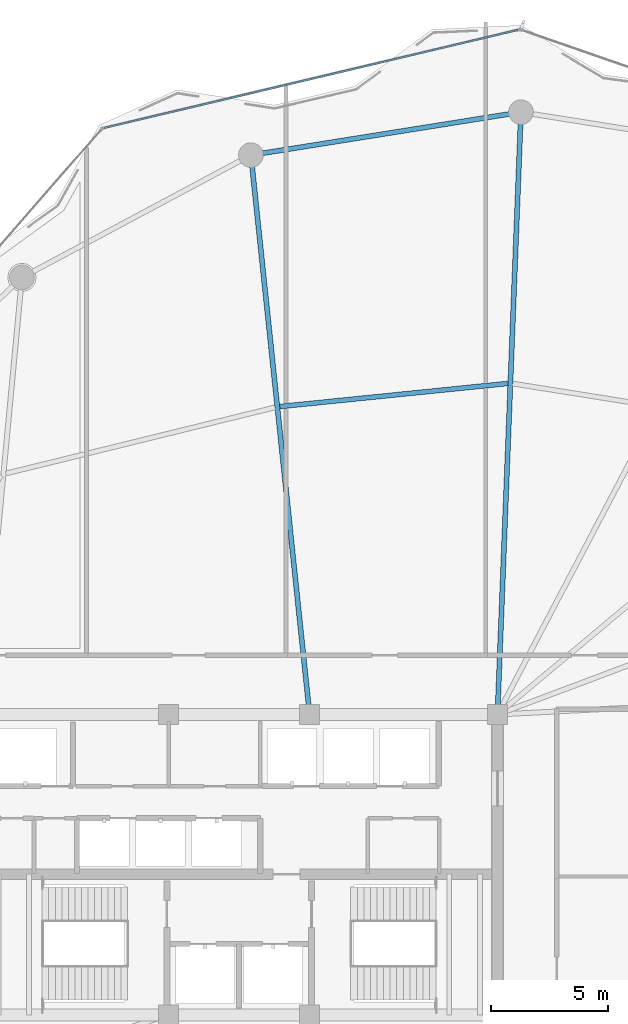
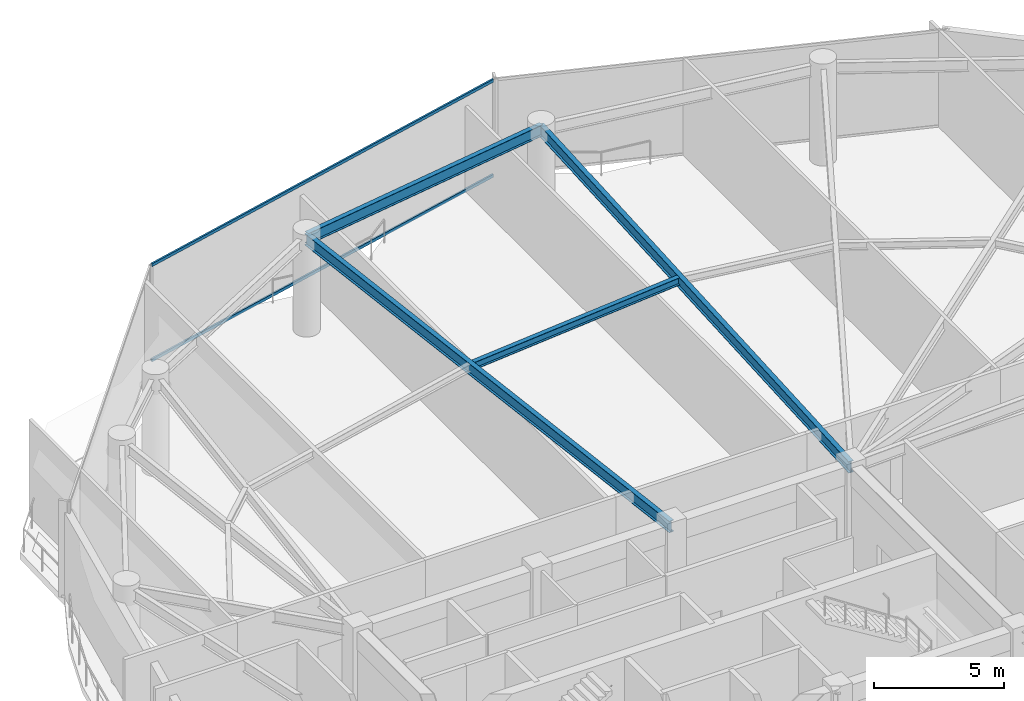
# One storey, part 18 of 28: 4 beams, 2 members, 1 element without a shape of its own.
"""IFC4 building model written with IfcOpenShell, lengths in metres."""

from ifc_helpers import new_model, si_unit, direction, frame, origin, origin_2d, place, context, subcontext, project, spatial, hollow_rectangle, i_section, extrude, material, layer, layer_set, material_profile, profile_set, type_object, element, aggregate, save


model = new_model("IFC4")

# Units and contexts
model_context = context("Model", 3, precision=1e-05, world=origin(), true_north=direction((0.0, 1.0)))
body_context = subcontext(model_context, "Body", "Model", "MODEL_VIEW")
ifc_project = project(units=[si_unit("LENGTHUNIT", "METRE"), si_unit("AREAUNIT", "SQUARE_METRE"), si_unit("VOLUMEUNIT", "CUBIC_METRE"), si_unit("PLANEANGLEUNIT", "RADIAN"), si_unit("MASSUNIT", "GRAM", prefix="KILO")], contexts=[model_context])

# Site, building, storey
site_placement = place(None, origin())
site = spatial("IfcSite", under=ifc_project, at=site_placement, CompositionType="ELEMENT")
building_placement = place(site_placement, origin())
building = spatial("IfcBuilding", under=site, at=building_placement, Name="Kazevale Care Tower and Concert Hall", CompositionType="ELEMENT")
storey_placement = place(building_placement, frame((0.0, 0.0, 190.800048828125)))
storey = spatial("IfcBuildingStorey", under=building, at=storey_placement, Name="L50", CompositionType="ELEMENT", Elevation=190.800048828125)

# Curtain wall, members
ifc_material_1 = material(Name="Aluminium 6063-T6 and Low-E Glass", Category="aluminium")
ifc_layer = layer(ifc_material_1, 0.179931640625)
ifc_layer_set = layer_set([ifc_layer], Name="Aluminium 6063-T6 and Low-E Glass")
curtain_wall_type = type_object("IfcCurtainWallType", Name="Waist & Upper Residential Curtain Wall CW-4", PredefinedType="NOTDEFINED", material=ifc_layer_set)
curtain_wall_placement = place(storey_placement, origin())
curtain_wall = element("IfcCurtainWall", 1, at=curtain_wall_placement, inside=storey, type_object=curtain_wall_type, Name="cw:L50:f15", PredefinedType="NOTDEFINED")
ifc_material_2 = material(Name="Aluminium 6063-T6", Category="aluminium")
ifc_material_profile_1 = material_profile(ifc_material_2, hollow_rectangle(XDim=0.080078125, YDim=0.139892578125, WallThickness=0.00390625, at=origin_2d()), Name="ALU80x140x4")
ifc_profile_set_1 = profile_set([ifc_material_profile_1], Name="Aluminium 6063-T6")
member_type = type_object("IfcMemberType", Name="CW-4 Transom ALU80x140x4", PredefinedType="USERDEFINED", material=ifc_profile_set_1)
member_1_placement = place(storey_placement, frame((27.249755859375, 61.37548828125, 0.0400390625), z_axis=(0.973087923042, 0.2304341425, 0.0), x_axis=(-0.2304341425, 0.973087923042, 0.0)))
member_1 = element("IfcMember", 2, at=member_1_placement, type_object=member_type, Name="CW-4 transom 1.1", ObjectType="TRANSOM", PredefinedType="USERDEFINED", context=body_context, shape_type="SweptSolid", body=[
    extrude(hollow_rectangle(XDim=0.080078125, YDim=0.139892578125, WallThickness=0.00390625, at=origin_2d()), origin(), (0.0, 0.0, 1.0), 18.114013671875),
])
member_2_placement = place(storey_placement, frame((27.249755859375, 61.37548828125, 4.52001953125), z_axis=(0.973087923042, 0.2304341425, 0.0), x_axis=(-0.2304341425, 0.973087923042, 0.0)))
member_2 = element("IfcMember", 3, at=member_2_placement, type_object=member_type, Name="CW-4 transom 1.2", ObjectType="TRANSOM", PredefinedType="USERDEFINED", context=body_context, shape_type="SweptSolid", body=[
    extrude(hollow_rectangle(XDim=0.080078125, YDim=0.139892578125, WallThickness=0.00390625, at=origin_2d()), origin(), (0.0, 0.0, 1.0), 18.114013671875),
])
aggregate(curtain_wall, [member_1, member_2])

# Beams
ifc_material_3 = material(Name="Steel ASTM A572 Gr 50", Category="steel")
ifc_material_profile_2 = material_profile(ifc_material_3, i_section(OverallWidth=0.2119140625, OverallDepth=0.5439453125, WebThickness=0.01318359375, FlangeThickness=0.021240234375, at=origin_2d()), Name="W530x123")
ifc_profile_set_2 = profile_set([ifc_material_profile_2], Name="Steel ASTM A572 Gr 50")
beam_type_1 = type_object("IfcBeamType", Name="Radial Floor Girder W530x123", PredefinedType="BEAM", material=ifc_profile_set_2)
beam_1_placement = place(storey_placement, frame((44.0, 36.39990234375, 4.287841796875), z_axis=(0.03895653799, 0.999240905962, 0.0), x_axis=(-0.999240905962, 0.03895653799, 0.0)))
element("IfcBeam", 4, at=beam_1_placement, inside=storey, type_object=beam_type_1, Name="beam:L50:rad:05", PredefinedType="BEAM", context=body_context, shape_type="SweptSolid", body=[
    extrude(i_section(OverallWidth=0.2119140625, OverallDepth=0.5439453125, WebThickness=0.01318359375, FlangeThickness=0.021240234375, at=origin_2d()), origin(), (0.0, 0.0, 1.0), 25.669677734375),
])
beam_2_placement = place(storey_placement, frame((36.0, 36.39990234375, 4.287841796875), z_axis=(-0.104380207012, 0.994537466556, 0.0), x_axis=(-0.994537466556, -0.104380207012, 0.0)))
element("IfcBeam", 5, at=beam_2_placement, inside=storey, type_object=beam_type_1, Name="beam:L50:rad:06", PredefinedType="BEAM", context=body_context, shape_type="SweptSolid", body=[
    extrude(i_section(OverallWidth=0.2119140625, OverallDepth=0.5439453125, WebThickness=0.01318359375, FlangeThickness=0.021240234375, at=origin_2d()), origin(), (0.0, 0.0, 1.0), 23.950927734375),
])
ifc_material_profile_3 = material_profile(ifc_material_3, i_section(OverallWidth=0.205078125, OverallDepth=0.35400390625, WebThickness=0.009521484375, FlangeThickness=0.016845703125, at=origin_2d()), Name="W360x79")
ifc_profile_set_3 = profile_set([ifc_material_profile_3], Name="Steel ASTM A572 Gr 50")
beam_type_2 = type_object("IfcBeamType", Name="Secondary Floor Joist W360x79", PredefinedType="JOIST", material=ifc_profile_set_3)
beam_3_placement = place(storey_placement, frame((44.446044921875, 50.4970703125, 4.383056640625), z_axis=(-0.994900388447, -0.10086236696, 0.0), x_axis=(0.10086236696, -0.994900388447, 0.0)))
element("IfcBeam", 6, at=beam_3_placement, inside=storey, type_object=beam_type_2, Name="beam:L50:joist:05", PredefinedType="JOIST", context=body_context, shape_type="SweptSolid", body=[
    extrude(i_section(OverallWidth=0.205078125, OverallDepth=0.35400390625, WebThickness=0.009521484375, FlangeThickness=0.016845703125, at=origin_2d()), origin(), (0.0, 0.0, 1.0), 9.766845703125),
])
ifc_material_profile_4 = material_profile(ifc_material_3, i_section(OverallWidth=0.208984375, OverallDepth=0.532958984375, WebThickness=0.01025390625, FlangeThickness=0.015625, at=origin_2d()), Name="W530x92")
ifc_profile_set_4 = profile_set([ifc_material_profile_4], Name="Steel ASTM A572 Gr 50")
beam_type_3 = type_object("IfcBeamType", Name="Upper Ring Beam W530x92", PredefinedType="BEAM", material=ifc_profile_set_4)
beam_4_placement = place(storey_placement, frame((45.0, 62.050048828125, 4.29345703125), z_axis=(-0.987573207584, -0.15715966296, 0.0), x_axis=(0.15715966296, -0.987573207584, 0.0)))
element("IfcBeam", 7, at=beam_4_placement, inside=storey, type_object=beam_type_3, Name="beam:L50:ring:05", PredefinedType="BEAM", context=body_context, shape_type="SweptSolid", body=[
    extrude(i_section(OverallWidth=0.208984375, OverallDepth=0.532958984375, WebThickness=0.01025390625, FlangeThickness=0.015625, at=origin_2d()), origin(), (0.0, 0.0, 1.0), 11.644775390625),
])

save(model, "model.ifc")
